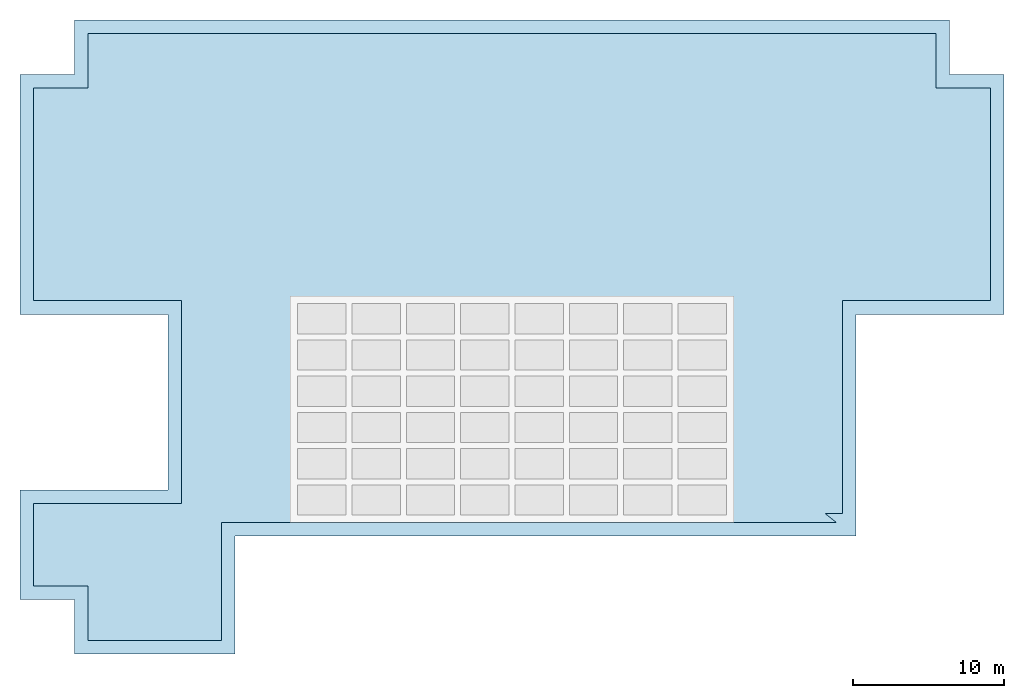
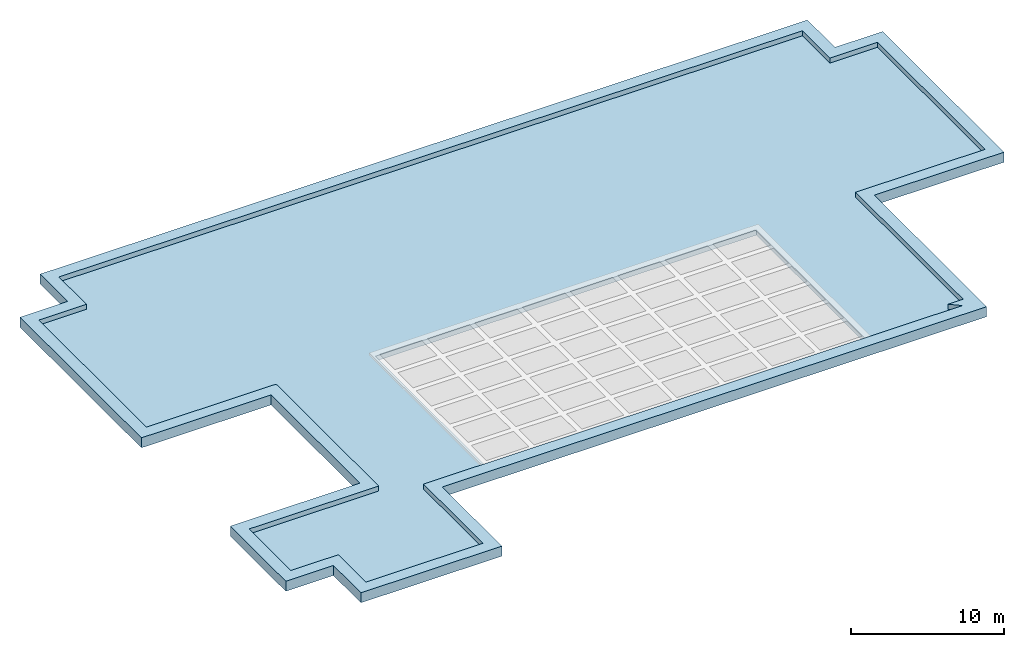
# One storey, part 2 of 2: 2 slabs.
"""IFC4 building model written with IfcOpenShell, lengths in metres."""

from ifc_helpers import new_model, si_unit, direction, frame, origin, place, context, subcontext, project, spatial, polyline, outline, extrude, material, layer, layer_set, type_object, element, save


model = new_model("IFC4")

# Units and contexts
model_context = context("Model", 3, precision=1e-05, world=origin(), true_north=direction((0.0, 1.0)))
body_context = subcontext(model_context, "Body", "Model", "MODEL_VIEW")
ifc_project = project(units=[si_unit("LENGTHUNIT", "METRE"), si_unit("AREAUNIT", "SQUARE_METRE"), si_unit("VOLUMEUNIT", "CUBIC_METRE"), si_unit("PLANEANGLEUNIT", "RADIAN"), si_unit("MASSUNIT", "GRAM", prefix="KILO")], contexts=[model_context])

# Site, building, storey
site_placement = place(None, origin())
site = spatial("IfcSite", under=ifc_project, at=site_placement, CompositionType="ELEMENT")
building_placement = place(site_placement, origin())
building = spatial("IfcBuilding", under=site, at=building_placement, Name="Saffron Iwan Residences", CompositionType="ELEMENT")
storey_placement = place(building_placement, frame((0.0, 0.0, 281.5)))
storey = spatial("IfcBuildingStorey", under=building, at=storey_placement, Name="ROOF", CompositionType="ELEMENT", Elevation=281.5)

# Slabs
ifc_material = material(Name="Concrete C40/50", Category="concrete")
ifc_layer_1 = layer(ifc_material, 0.800048828125)
ifc_layer_set_1 = layer_set([ifc_layer_1], Name="Concrete C40/50")
slab_type_1 = type_object("IfcSlabType", Name="CORNICE CAP 800 C40/50", PredefinedType="ROOF", material=ifc_layer_set_1)
slab_1_placement = place(storey_placement, frame((0.0, 0.0, 0.89990234375)))
element("IfcSlab", 1, at=slab_1_placement, inside=storey, type_object=slab_type_1, Name="Cornice cap", PredefinedType="ROOF", context=body_context, shape_type="SweptSolid", body=[
    extrude(outline(polyline([(27.60009765625, 61.5), (17.800048828125, 61.5), (17.800048828125, 77.39990234375), (21.39990234375, 77.39990234375), (21.39990234375, 81.0), (79.39990234375, 81.0), (79.39990234375, 77.39990234375), (83.0, 77.39990234375), (83.0, 61.5), (73.199951171875, 61.5), (73.199951171875, 47.802001953125), (73.199951171875, 47.39990234375), (73.199951171875, 46.800048828125), (32.050048828125, 46.800048828125), (32.050048828125, 39.0), (21.39990234375, 39.0), (21.39990234375, 42.60009765625), (17.800048828125, 42.60009765625), (17.800048828125, 49.8701171875), (27.60009765625, 49.8701171875), (27.60009765625, 61.5)]), holes=[polyline([(18.699951171875, 48.969970703125), (18.699951171875, 43.5), (22.300048828125, 43.5), (22.300048828125, 39.89990234375), (31.14990234375, 39.89990234375), (31.14990234375, 47.699951171875), (71.89404296875, 47.699951171875), (71.151123046875, 48.300048828125), (72.300048828125, 48.300048828125), (72.300048828125, 62.39990234375), (82.10009765625, 62.39990234375), (82.10009765625, 76.5), (78.5, 76.5), (78.5, 80.10009765625), (22.300048828125, 80.10009765625), (22.300048828125, 76.5), (18.699951171875, 76.5), (18.699951171875, 62.39990234375), (28.5, 62.39990234375), (28.5, 48.969970703125), (18.699951171875, 48.969970703125)])]), origin(), (0.0, 0.0, 1.0), 0.800048828125),
])
ifc_layer_2 = layer(ifc_material, 0.39990234375)
ifc_layer_set_2 = layer_set([ifc_layer_2], Name="Concrete C40/50")
slab_type_2 = type_object("IfcSlabType", Name="ROOF PLATE 400 C40/50", PredefinedType="ROOF", material=ifc_layer_set_2)
slab_2_placement = place(storey_placement, frame((0.0, 0.0, 0.89990234375)))
element("IfcSlab", 2, at=slab_2_placement, inside=storey, type_object=slab_type_2, Name="Canopy slab", PredefinedType="ROOF", context=body_context, shape_type="SweptSolid", body=[
    extrude(outline(polyline([(64.800048828125, 48.0), (64.800048828125, 62.39990234375), (36.0, 62.39990234375), (36.0, 48.0), (43.199951171875, 48.0), (43.199951171875, 47.699951171875), (31.14990234375, 47.699951171875), (31.14990234375, 39.89990234375), (22.300048828125, 39.89990234375), (22.300048828125, 43.5), (18.699951171875, 43.5), (18.699951171875, 48.969970703125), (28.5, 48.969970703125), (28.5, 62.39990234375), (18.699951171875, 62.39990234375), (18.699951171875, 76.5), (22.300048828125, 76.5), (22.300048828125, 80.10009765625), (78.5, 80.10009765625), (78.5, 76.5), (82.10009765625, 76.5), (82.10009765625, 62.39990234375), (72.300048828125, 62.39990234375), (72.300048828125, 48.300048828125), (71.151123046875, 48.300048828125), (71.89404296875, 47.699951171875), (57.60009765625, 47.699951171875), (57.60009765625, 48.0), (64.800048828125, 48.0)])), origin(), (0.0, 0.0, 1.0), 0.400146484375),
])

save(model, "model.ifc")
